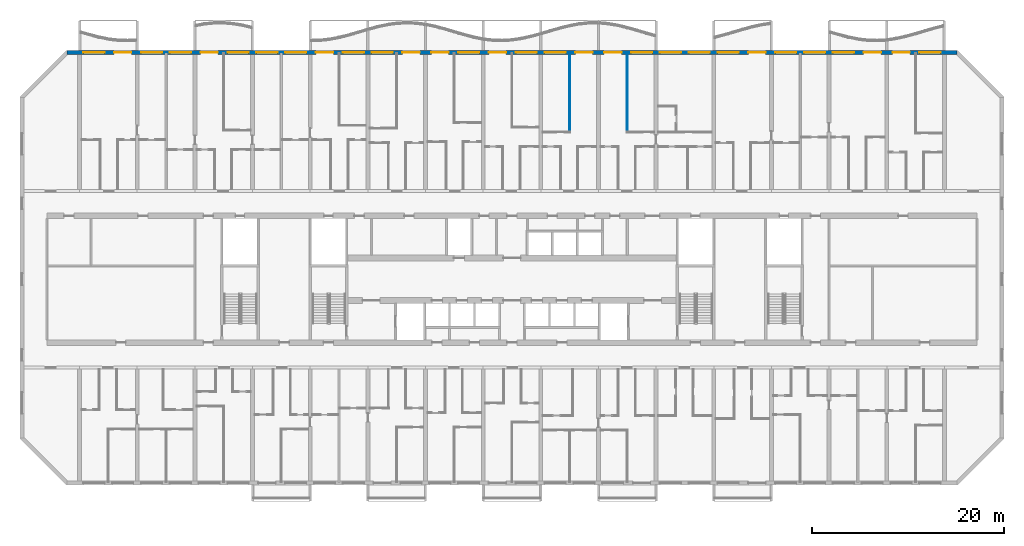
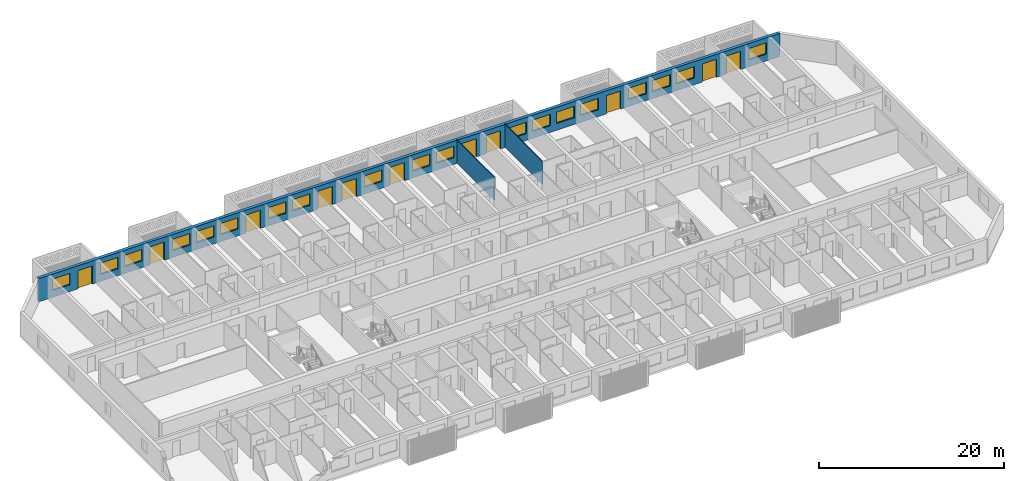
# One storey, part 15 of 44: 19 windows, 11 doors, 3 walls, 30 openings.
"""IFC4 building model written with IfcOpenShell, lengths in metres."""

from ifc_helpers import new_model, si_unit, direction, frame, frame_2d, origin, place, context, subcontext, project, spatial, rectangle, extrude, material, layer, layer_set, type_object, element, fill, save


model = new_model("IFC4")

# Units and contexts
model_context = context("Model", 3, precision=1e-05, world=origin(), true_north=direction((0.0, 1.0)))
body_context = subcontext(model_context, "Body", "Model", "MODEL_VIEW")
ifc_project = project(units=[si_unit("LENGTHUNIT", "METRE"), si_unit("AREAUNIT", "SQUARE_METRE"), si_unit("VOLUMEUNIT", "CUBIC_METRE"), si_unit("PLANEANGLEUNIT", "RADIAN"), si_unit("MASSUNIT", "GRAM", prefix="KILO")], contexts=[model_context])

# Site, building, storey
site_placement = place(None, origin())
site = spatial("IfcSite", under=ifc_project, at=site_placement, CompositionType="ELEMENT")
building_placement = place(site_placement, origin())
building = spatial("IfcBuilding", under=site, at=building_placement, Name="Poui Terraces", CompositionType="ELEMENT")
storey_placement = place(building_placement, frame((0.0, 0.0, 26.699951171875)))
storey = spatial("IfcBuildingStorey", under=building, at=storey_placement, Name="L06", CompositionType="ELEMENT", Elevation=26.699951171875)

# Wall, openings, doors, windows
ifc_material_1 = material(Name="Precast concrete 40 MPa", Category="concrete")
ifc_layer_1 = layer(ifc_material_1, 0.39990234375)
ifc_layer_set_1 = layer_set([ifc_layer_1], Name="Precast concrete 40 MPa")
wall_type_1 = type_object("IfcWallType", Name="EXTERNAL WALL 400", PredefinedType="STANDARD", material=ifc_layer_set_1)
wall_placement = place(storey_placement, frame((97.317138671875, 44.800048828125, 0.0), z_axis=(0.0, 0.0, 1.0), x_axis=(-1.0, 0.0, 0.0)))
wall = element("IfcWall", 1, at=wall_placement, inside=storey, type_object=wall_type_1, Name="EXTERNAL WALL N", PredefinedType="STANDARD", context=body_context, shape_type="SweptSolid", body=[
    extrude(rectangle(XDim=92.63427734375, YDim=0.39990234375, at=frame_2d((46.317138671875, 0.0))), origin(), (0.0, 0.0, 1.0), 3.050048828125),
])
opening_1_placement = place(wall_placement, frame((88.71728515625, 0.0, 0.89990234375)))
opening_1 = element("IfcOpeningElement", 2, at=opening_1_placement, cuts=wall, Name="Opening W1", PredefinedType="OPENING", context=body_context, shape_type="SweptSolid", body=[
    extrude(rectangle(XDim=2.199951171875, YDim=1.5, at=frame_2d((1.10009765625, 0.75))), frame((0.0, 0.2099609375, 0.0), z_axis=(0.0, -1.0, 0.0), x_axis=(1.0, 0.0, 0.0)), (0.0, 0.0, 1.0), 0.419921875),
])
opening_2_placement = place(wall_placement, frame((85.917236328125, 0.0, 0.0)))
opening_2 = element("IfcOpeningElement", 3, at=opening_2_placement, cuts=wall, Name="Opening BD1", PredefinedType="OPENING", context=body_context, shape_type="SweptSolid", body=[
    extrude(rectangle(XDim=1.800048828125, YDim=2.39990234375, at=frame_2d((0.89990234375, 1.199951171875))), frame((0.0, 0.2099609375, 0.0), z_axis=(0.0, -1.0, 0.0), x_axis=(1.0, 0.0, 0.0)), (0.0, 0.0, 1.0), 0.419921875),
])
opening_3_placement = place(wall_placement, frame((82.71728515625, 0.0, 0.89990234375)))
opening_3 = element("IfcOpeningElement", 4, at=opening_3_placement, cuts=wall, Name="Opening W1", PredefinedType="OPENING", context=body_context, shape_type="SweptSolid", body=[
    extrude(rectangle(XDim=2.199951171875, YDim=1.5, at=frame_2d((1.10009765625, 0.75))), frame((0.0, 0.2099609375, 0.0), z_axis=(0.0, -1.0, 0.0), x_axis=(1.0, 0.0, 0.0)), (0.0, 0.0, 1.0), 0.419921875),
])
opening_4_placement = place(wall_placement, frame((79.71728515625, 0.0, 0.89990234375)))
opening_4 = element("IfcOpeningElement", 5, at=opening_4_placement, cuts=wall, Name="Opening W1", PredefinedType="OPENING", context=body_context, shape_type="SweptSolid", body=[
    extrude(rectangle(XDim=2.199951171875, YDim=1.5, at=frame_2d((1.10009765625, 0.75))), frame((0.0, 0.2099609375, 0.0), z_axis=(0.0, -1.0, 0.0), x_axis=(1.0, 0.0, 0.0)), (0.0, 0.0, 1.0), 0.419921875),
])
opening_5_placement = place(wall_placement, frame((76.917236328125, 0.0, 0.0)))
opening_5 = element("IfcOpeningElement", 6, at=opening_5_placement, cuts=wall, Name="Opening BD1", PredefinedType="OPENING", context=body_context, shape_type="SweptSolid", body=[
    extrude(rectangle(XDim=1.800048828125, YDim=2.39990234375, at=frame_2d((0.89990234375, 1.199951171875))), frame((0.0, 0.2099609375, 0.0), z_axis=(0.0, -1.0, 0.0), x_axis=(1.0, 0.0, 0.0)), (0.0, 0.0, 1.0), 0.419921875),
])
opening_6_placement = place(wall_placement, frame((73.71728515625, 0.0, 0.89990234375)))
opening_6 = element("IfcOpeningElement", 7, at=opening_6_placement, cuts=wall, Name="Opening W1", PredefinedType="OPENING", context=body_context, shape_type="SweptSolid", body=[
    extrude(rectangle(XDim=2.199951171875, YDim=1.5, at=frame_2d((1.10009765625, 0.75))), frame((0.0, 0.2099609375, 0.0), z_axis=(0.0, -1.0, 0.0), x_axis=(1.0, 0.0, 0.0)), (0.0, 0.0, 1.0), 0.419921875),
])
opening_7_placement = place(wall_placement, frame((70.71728515625, 0.0, 0.89990234375)))
opening_7 = element("IfcOpeningElement", 8, at=opening_7_placement, cuts=wall, Name="Opening W1", PredefinedType="OPENING", context=body_context, shape_type="SweptSolid", body=[
    extrude(rectangle(XDim=2.199951171875, YDim=1.5, at=frame_2d((1.10009765625, 0.75))), frame((0.0, 0.2099609375, 0.0), z_axis=(0.0, -1.0, 0.0), x_axis=(1.0, 0.0, 0.0)), (0.0, 0.0, 1.0), 0.419921875),
])
opening_8_placement = place(wall_placement, frame((67.71728515625, 0.0, 0.89990234375)))
opening_8 = element("IfcOpeningElement", 9, at=opening_8_placement, cuts=wall, Name="Opening W1", PredefinedType="OPENING", context=body_context, shape_type="SweptSolid", body=[
    extrude(rectangle(XDim=2.199951171875, YDim=1.5, at=frame_2d((1.10009765625, 0.75))), frame((0.0, 0.2099609375, 0.0), z_axis=(0.0, -1.0, 0.0), x_axis=(1.0, 0.0, 0.0)), (0.0, 0.0, 1.0), 0.419921875),
])
opening_9_placement = place(wall_placement, frame((64.917236328125, 0.0, 0.0)))
opening_9 = element("IfcOpeningElement", 10, at=opening_9_placement, cuts=wall, Name="Opening BD1", PredefinedType="OPENING", context=body_context, shape_type="SweptSolid", body=[
    extrude(rectangle(XDim=1.800048828125, YDim=2.39990234375, at=frame_2d((0.89990234375, 1.199951171875))), frame((0.0, 0.2099609375, 0.0), z_axis=(0.0, -1.0, 0.0), x_axis=(1.0, 0.0, 0.0)), (0.0, 0.0, 1.0), 0.419921875),
])
opening_10_placement = place(wall_placement, frame((61.71728515625, 0.0, 0.89990234375)))
opening_10 = element("IfcOpeningElement", 11, at=opening_10_placement, cuts=wall, Name="Opening W1", PredefinedType="OPENING", context=body_context, shape_type="SweptSolid", body=[
    extrude(rectangle(XDim=2.199951171875, YDim=1.5, at=frame_2d((1.10009765625, 0.75))), frame((0.0, 0.2099609375, 0.0), z_axis=(0.0, -1.0, 0.0), x_axis=(1.0, 0.0, 0.0)), (0.0, 0.0, 1.0), 0.419921875),
])
opening_11_placement = place(wall_placement, frame((58.71728515625, 0.0, 0.89990234375)))
opening_11 = element("IfcOpeningElement", 12, at=opening_11_placement, cuts=wall, Name="Opening W1", PredefinedType="OPENING", context=body_context, shape_type="SweptSolid", body=[
    extrude(rectangle(XDim=2.199951171875, YDim=1.5, at=frame_2d((1.10009765625, 0.75))), frame((0.0, 0.2099609375, 0.0), z_axis=(0.0, -1.0, 0.0), x_axis=(1.0, 0.0, 0.0)), (0.0, 0.0, 1.0), 0.419921875),
])
opening_12_placement = place(wall_placement, frame((55.917236328125, 0.0, 0.0)))
opening_12 = element("IfcOpeningElement", 13, at=opening_12_placement, cuts=wall, Name="Opening BD1", PredefinedType="OPENING", context=body_context, shape_type="SweptSolid", body=[
    extrude(rectangle(XDim=1.800048828125, YDim=2.39990234375, at=frame_2d((0.89990234375, 1.199951171875))), frame((0.0, 0.2099609375, 0.0), z_axis=(0.0, -1.0, 0.0), x_axis=(1.0, 0.0, 0.0)), (0.0, 0.0, 1.0), 0.419921875),
])
opening_13_placement = place(wall_placement, frame((52.917236328125, 0.0, 0.0)))
opening_13 = element("IfcOpeningElement", 14, at=opening_13_placement, cuts=wall, Name="Opening BD1", PredefinedType="OPENING", context=body_context, shape_type="SweptSolid", body=[
    extrude(rectangle(XDim=1.800048828125, YDim=2.39990234375, at=frame_2d((0.89990234375, 1.199951171875))), frame((0.0, 0.2099609375, 0.0), z_axis=(0.0, -1.0, 0.0), x_axis=(1.0, 0.0, 0.0)), (0.0, 0.0, 1.0), 0.419921875),
])
opening_14_placement = place(wall_placement, frame((49.71728515625, 0.0, 0.89990234375)))
opening_14 = element("IfcOpeningElement", 15, at=opening_14_placement, cuts=wall, Name="Opening W1", PredefinedType="OPENING", context=body_context, shape_type="SweptSolid", body=[
    extrude(rectangle(XDim=2.199951171875, YDim=1.5, at=frame_2d((1.10009765625, 0.75))), frame((0.0, 0.2099609375, 0.0), z_axis=(0.0, -1.0, 0.0), x_axis=(1.0, 0.0, 0.0)), (0.0, 0.0, 1.0), 0.419921875),
])
opening_15_placement = place(wall_placement, frame((46.917236328125, 0.0, 0.0)))
opening_15 = element("IfcOpeningElement", 16, at=opening_15_placement, cuts=wall, Name="Opening BD1", PredefinedType="OPENING", context=body_context, shape_type="SweptSolid", body=[
    extrude(rectangle(XDim=1.800048828125, YDim=2.39990234375, at=frame_2d((0.89990234375, 1.199951171875))), frame((0.0, 0.2099609375, 0.0), z_axis=(0.0, -1.0, 0.0), x_axis=(1.0, 0.0, 0.0)), (0.0, 0.0, 1.0), 0.419921875),
])
opening_16_placement = place(wall_placement, frame((43.71728515625, 0.0, 0.89990234375)))
opening_16 = element("IfcOpeningElement", 17, at=opening_16_placement, cuts=wall, Name="Opening W1", PredefinedType="OPENING", context=body_context, shape_type="SweptSolid", body=[
    extrude(rectangle(XDim=2.199951171875, YDim=1.5, at=frame_2d((1.10009765625, 0.75))), frame((0.0, 0.2099609375, 0.0), z_axis=(0.0, -1.0, 0.0), x_axis=(1.0, 0.0, 0.0)), (0.0, 0.0, 1.0), 0.419921875),
])
opening_17_placement = place(wall_placement, frame((40.71728515625, 0.0, 0.89990234375)))
opening_17 = element("IfcOpeningElement", 18, at=opening_17_placement, cuts=wall, Name="Opening W1", PredefinedType="OPENING", context=body_context, shape_type="SweptSolid", body=[
    extrude(rectangle(XDim=2.199951171875, YDim=1.5, at=frame_2d((1.10009765625, 0.75))), frame((0.0, 0.2099609375, 0.0), z_axis=(0.0, -1.0, 0.0), x_axis=(1.0, 0.0, 0.0)), (0.0, 0.0, 1.0), 0.419921875),
])
opening_18_placement = place(wall_placement, frame((37.917236328125, 0.0, 0.0)))
opening_18 = element("IfcOpeningElement", 19, at=opening_18_placement, cuts=wall, Name="Opening BD1", PredefinedType="OPENING", context=body_context, shape_type="SweptSolid", body=[
    extrude(rectangle(XDim=1.800048828125, YDim=2.39990234375, at=frame_2d((0.89990234375, 1.199951171875))), frame((0.0, 0.2099609375, 0.0), z_axis=(0.0, -1.0, 0.0), x_axis=(1.0, 0.0, 0.0)), (0.0, 0.0, 1.0), 0.419921875),
])
opening_19_placement = place(wall_placement, frame((34.917236328125, 0.0, 0.0)))
opening_19 = element("IfcOpeningElement", 20, at=opening_19_placement, cuts=wall, Name="Opening BD1", PredefinedType="OPENING", context=body_context, shape_type="SweptSolid", body=[
    extrude(rectangle(XDim=1.800048828125, YDim=2.39990234375, at=frame_2d((0.89990234375, 1.199951171875))), frame((0.0, 0.2099609375, 0.0), z_axis=(0.0, -1.0, 0.0), x_axis=(1.0, 0.0, 0.0)), (0.0, 0.0, 1.0), 0.419921875),
])
opening_20_placement = place(wall_placement, frame((31.71728515625, 0.0, 0.89990234375)))
opening_20 = element("IfcOpeningElement", 21, at=opening_20_placement, cuts=wall, Name="Opening W1", PredefinedType="OPENING", context=body_context, shape_type="SweptSolid", body=[
    extrude(rectangle(XDim=2.199951171875, YDim=1.5, at=frame_2d((1.10009765625, 0.75))), frame((0.0, 0.2099609375, 0.0), z_axis=(0.0, -1.0, 0.0), x_axis=(1.0, 0.0, 0.0)), (0.0, 0.0, 1.0), 0.419921875),
])
opening_21_placement = place(wall_placement, frame((28.71728515625, 0.0, 0.89990234375)))
opening_21 = element("IfcOpeningElement", 22, at=opening_21_placement, cuts=wall, Name="Opening W1", PredefinedType="OPENING", context=body_context, shape_type="SweptSolid", body=[
    extrude(rectangle(XDim=2.199951171875, YDim=1.5, at=frame_2d((1.10009765625, 0.75))), frame((0.0, 0.2099609375, 0.0), z_axis=(0.0, -1.0, 0.0), x_axis=(1.0, 0.0, 0.0)), (0.0, 0.0, 1.0), 0.419921875),
])
opening_22_placement = place(wall_placement, frame((25.71728515625, 0.0, 0.89990234375)))
opening_22 = element("IfcOpeningElement", 23, at=opening_22_placement, cuts=wall, Name="Opening W1", PredefinedType="OPENING", context=body_context, shape_type="SweptSolid", body=[
    extrude(rectangle(XDim=2.199951171875, YDim=1.5, at=frame_2d((1.10009765625, 0.75))), frame((0.0, 0.2099609375, 0.0), z_axis=(0.0, -1.0, 0.0), x_axis=(1.0, 0.0, 0.0)), (0.0, 0.0, 1.0), 0.419921875),
])
opening_23_placement = place(wall_placement, frame((22.71728515625, 0.0, 0.89990234375)))
opening_23 = element("IfcOpeningElement", 24, at=opening_23_placement, cuts=wall, Name="Opening W1", PredefinedType="OPENING", context=body_context, shape_type="SweptSolid", body=[
    extrude(rectangle(XDim=2.199951171875, YDim=1.5, at=frame_2d((1.10009765625, 0.75))), frame((0.0, 0.2099609375, 0.0), z_axis=(0.0, -1.0, 0.0), x_axis=(1.0, 0.0, 0.0)), (0.0, 0.0, 1.0), 0.419921875),
])
opening_24_placement = place(wall_placement, frame((19.917236328125, 0.0, 0.0)))
opening_24 = element("IfcOpeningElement", 25, at=opening_24_placement, cuts=wall, Name="Opening BD1", PredefinedType="OPENING", context=body_context, shape_type="SweptSolid", body=[
    extrude(rectangle(XDim=1.800048828125, YDim=2.39990234375, at=frame_2d((0.89990234375, 1.199951171875))), frame((0.0, 0.2099609375, 0.0), z_axis=(0.0, -1.0, 0.0), x_axis=(1.0, 0.0, 0.0)), (0.0, 0.0, 1.0), 0.419921875),
])
opening_25_placement = place(wall_placement, frame((16.71728515625, 0.0, 0.89990234375)))
opening_25 = element("IfcOpeningElement", 26, at=opening_25_placement, cuts=wall, Name="Opening W1", PredefinedType="OPENING", context=body_context, shape_type="SweptSolid", body=[
    extrude(rectangle(XDim=2.199951171875, YDim=1.5, at=frame_2d((1.10009765625, 0.75))), frame((0.0, 0.2099609375, 0.0), z_axis=(0.0, -1.0, 0.0), x_axis=(1.0, 0.0, 0.0)), (0.0, 0.0, 1.0), 0.419921875),
])
opening_26_placement = place(wall_placement, frame((13.71728515625, 0.0, 0.89990234375)))
opening_26 = element("IfcOpeningElement", 27, at=opening_26_placement, cuts=wall, Name="Opening W1", PredefinedType="OPENING", context=body_context, shape_type="SweptSolid", body=[
    extrude(rectangle(XDim=2.199951171875, YDim=1.5, at=frame_2d((1.10009765625, 0.75))), frame((0.0, 0.2099609375, 0.0), z_axis=(0.0, -1.0, 0.0), x_axis=(1.0, 0.0, 0.0)), (0.0, 0.0, 1.0), 0.419921875),
])
opening_27_placement = place(wall_placement, frame((10.71728515625, 0.0, 0.89990234375)))
opening_27 = element("IfcOpeningElement", 28, at=opening_27_placement, cuts=wall, Name="Opening W1", PredefinedType="OPENING", context=body_context, shape_type="SweptSolid", body=[
    extrude(rectangle(XDim=2.199951171875, YDim=1.5, at=frame_2d((1.10009765625, 0.75))), frame((0.0, 0.2099609375, 0.0), z_axis=(0.0, -1.0, 0.0), x_axis=(1.0, 0.0, 0.0)), (0.0, 0.0, 1.0), 0.419921875),
])
opening_28_placement = place(wall_placement, frame((7.917236328125, 0.0, 0.0)))
opening_28 = element("IfcOpeningElement", 29, at=opening_28_placement, cuts=wall, Name="Opening BD1", PredefinedType="OPENING", context=body_context, shape_type="SweptSolid", body=[
    extrude(rectangle(XDim=1.800048828125, YDim=2.39990234375, at=frame_2d((0.89990234375, 1.199951171875))), frame((0.0, 0.2099609375, 0.0), z_axis=(0.0, -1.0, 0.0), x_axis=(1.0, 0.0, 0.0)), (0.0, 0.0, 1.0), 0.419921875),
])
opening_29_placement = place(wall_placement, frame((4.917236328125, 0.0, 0.0)))
opening_29 = element("IfcOpeningElement", 30, at=opening_29_placement, cuts=wall, Name="Opening BD1", PredefinedType="OPENING", context=body_context, shape_type="SweptSolid", body=[
    extrude(rectangle(XDim=1.800048828125, YDim=2.39990234375, at=frame_2d((0.89990234375, 1.199951171875))), frame((0.0, 0.2099609375, 0.0), z_axis=(0.0, -1.0, 0.0), x_axis=(1.0, 0.0, 0.0)), (0.0, 0.0, 1.0), 0.419921875),
])
opening_30_placement = place(wall_placement, frame((1.71728515625, 0.0, 0.89990234375)))
opening_30 = element("IfcOpeningElement", 31, at=opening_30_placement, cuts=wall, Name="Opening W1", PredefinedType="OPENING", context=body_context, shape_type="SweptSolid", body=[
    extrude(rectangle(XDim=2.199951171875, YDim=1.5, at=frame_2d((1.10009765625, 0.75))), frame((0.0, 0.2099609375, 0.0), z_axis=(0.0, -1.0, 0.0), x_axis=(1.0, 0.0, 0.0)), (0.0, 0.0, 1.0), 0.419921875),
])
ifc_material_2 = material(Name="Clear glass in aluminium frame", Category="aluminium")
door_type = type_object("IfcDoorType", Name="BALCONY DOOR 1800X2400", OperationType="DOUBLE_DOOR_SLIDING", PredefinedType="DOOR", material=ifc_material_2)
door_1_placement = place(opening_2_placement, origin())
door_1 = element("IfcDoor", 32, at=door_1_placement, inside=storey, type_object=door_type, Name="BD1 BALCONY DOOR", OperationType="DOUBLE_DOOR_SLIDING", OverallHeight=2.39990234375, OverallWidth=1.800048828125, PredefinedType="DOOR", context=body_context, shape_type="SweptSolid", body=[
    extrude(rectangle(XDim=1.800048828125, YDim=2.39990234375, at=frame_2d((0.89990234375, 1.199951171875))), frame((0.0, 0.02490234375, 0.0), z_axis=(0.0, -1.0, 0.0), x_axis=(1.0, 0.0, 0.0)), (0.0, 0.0, 1.0), 0.050048828125),
])
fill(opening_2, door_1)
door_2_placement = place(opening_5_placement, origin())
door_2 = element("IfcDoor", 33, at=door_2_placement, inside=storey, type_object=door_type, Name="BD1 BALCONY DOOR", OperationType="DOUBLE_DOOR_SLIDING", OverallHeight=2.39990234375, OverallWidth=1.800048828125, PredefinedType="DOOR", context=body_context, shape_type="SweptSolid", body=[
    extrude(rectangle(XDim=1.800048828125, YDim=2.39990234375, at=frame_2d((0.89990234375, 1.199951171875))), frame((0.0, 0.02490234375, 0.0), z_axis=(0.0, -1.0, 0.0), x_axis=(1.0, 0.0, 0.0)), (0.0, 0.0, 1.0), 0.050048828125),
])
fill(opening_5, door_2)
door_3_placement = place(opening_9_placement, origin())
door_3 = element("IfcDoor", 34, at=door_3_placement, inside=storey, type_object=door_type, Name="BD1 BALCONY DOOR", OperationType="DOUBLE_DOOR_SLIDING", OverallHeight=2.39990234375, OverallWidth=1.800048828125, PredefinedType="DOOR", context=body_context, shape_type="SweptSolid", body=[
    extrude(rectangle(XDim=1.800048828125, YDim=2.39990234375, at=frame_2d((0.89990234375, 1.199951171875))), frame((0.0, 0.02490234375, 0.0), z_axis=(0.0, -1.0, 0.0), x_axis=(1.0, 0.0, 0.0)), (0.0, 0.0, 1.0), 0.050048828125),
])
fill(opening_9, door_3)
door_4_placement = place(opening_12_placement, origin())
door_4 = element("IfcDoor", 35, at=door_4_placement, inside=storey, type_object=door_type, Name="BD1 BALCONY DOOR", OperationType="DOUBLE_DOOR_SLIDING", OverallHeight=2.39990234375, OverallWidth=1.800048828125, PredefinedType="DOOR", context=body_context, shape_type="SweptSolid", body=[
    extrude(rectangle(XDim=1.800048828125, YDim=2.39990234375, at=frame_2d((0.89990234375, 1.199951171875))), frame((0.0, 0.02490234375, 0.0), z_axis=(0.0, -1.0, 0.0), x_axis=(1.0, 0.0, 0.0)), (0.0, 0.0, 1.0), 0.050048828125),
])
fill(opening_12, door_4)
door_5_placement = place(opening_13_placement, origin())
door_5 = element("IfcDoor", 36, at=door_5_placement, inside=storey, type_object=door_type, Name="BD1 BALCONY DOOR", OperationType="DOUBLE_DOOR_SLIDING", OverallHeight=2.39990234375, OverallWidth=1.800048828125, PredefinedType="DOOR", context=body_context, shape_type="SweptSolid", body=[
    extrude(rectangle(XDim=1.800048828125, YDim=2.39990234375, at=frame_2d((0.89990234375, 1.199951171875))), frame((0.0, 0.02490234375, 0.0), z_axis=(0.0, -1.0, 0.0), x_axis=(1.0, 0.0, 0.0)), (0.0, 0.0, 1.0), 0.050048828125),
])
fill(opening_13, door_5)
door_6_placement = place(opening_15_placement, origin())
door_6 = element("IfcDoor", 37, at=door_6_placement, inside=storey, type_object=door_type, Name="BD1 BALCONY DOOR", OperationType="DOUBLE_DOOR_SLIDING", OverallHeight=2.39990234375, OverallWidth=1.800048828125, PredefinedType="DOOR", context=body_context, shape_type="SweptSolid", body=[
    extrude(rectangle(XDim=1.800048828125, YDim=2.39990234375, at=frame_2d((0.89990234375, 1.199951171875))), frame((0.0, 0.02490234375, 0.0), z_axis=(0.0, -1.0, 0.0), x_axis=(1.0, 0.0, 0.0)), (0.0, 0.0, 1.0), 0.050048828125),
])
fill(opening_15, door_6)
door_7_placement = place(opening_18_placement, origin())
door_7 = element("IfcDoor", 38, at=door_7_placement, inside=storey, type_object=door_type, Name="BD1 BALCONY DOOR", OperationType="DOUBLE_DOOR_SLIDING", OverallHeight=2.39990234375, OverallWidth=1.800048828125, PredefinedType="DOOR", context=body_context, shape_type="SweptSolid", body=[
    extrude(rectangle(XDim=1.800048828125, YDim=2.39990234375, at=frame_2d((0.89990234375, 1.199951171875))), frame((0.0, 0.02490234375, 0.0), z_axis=(0.0, -1.0, 0.0), x_axis=(1.0, 0.0, 0.0)), (0.0, 0.0, 1.0), 0.050048828125),
])
fill(opening_18, door_7)
door_8_placement = place(opening_19_placement, origin())
door_8 = element("IfcDoor", 39, at=door_8_placement, inside=storey, type_object=door_type, Name="BD1 BALCONY DOOR", OperationType="DOUBLE_DOOR_SLIDING", OverallHeight=2.39990234375, OverallWidth=1.800048828125, PredefinedType="DOOR", context=body_context, shape_type="SweptSolid", body=[
    extrude(rectangle(XDim=1.800048828125, YDim=2.39990234375, at=frame_2d((0.89990234375, 1.199951171875))), frame((0.0, 0.02490234375, 0.0), z_axis=(0.0, -1.0, 0.0), x_axis=(1.0, 0.0, 0.0)), (0.0, 0.0, 1.0), 0.050048828125),
])
fill(opening_19, door_8)
door_9_placement = place(opening_24_placement, origin())
door_9 = element("IfcDoor", 40, at=door_9_placement, inside=storey, type_object=door_type, Name="BD1 BALCONY DOOR", OperationType="DOUBLE_DOOR_SLIDING", OverallHeight=2.39990234375, OverallWidth=1.800048828125, PredefinedType="DOOR", context=body_context, shape_type="SweptSolid", body=[
    extrude(rectangle(XDim=1.800048828125, YDim=2.39990234375, at=frame_2d((0.89990234375, 1.199951171875))), frame((0.0, 0.02490234375, 0.0), z_axis=(0.0, -1.0, 0.0), x_axis=(1.0, 0.0, 0.0)), (0.0, 0.0, 1.0), 0.050048828125),
])
fill(opening_24, door_9)
door_10_placement = place(opening_28_placement, origin())
door_10 = element("IfcDoor", 41, at=door_10_placement, inside=storey, type_object=door_type, Name="BD1 BALCONY DOOR", OperationType="DOUBLE_DOOR_SLIDING", OverallHeight=2.39990234375, OverallWidth=1.800048828125, PredefinedType="DOOR", context=body_context, shape_type="SweptSolid", body=[
    extrude(rectangle(XDim=1.800048828125, YDim=2.39990234375, at=frame_2d((0.89990234375, 1.199951171875))), frame((0.0, 0.02490234375, 0.0), z_axis=(0.0, -1.0, 0.0), x_axis=(1.0, 0.0, 0.0)), (0.0, 0.0, 1.0), 0.050048828125),
])
fill(opening_28, door_10)
door_11_placement = place(opening_29_placement, origin())
door_11 = element("IfcDoor", 42, at=door_11_placement, inside=storey, type_object=door_type, Name="BD1 BALCONY DOOR", OperationType="DOUBLE_DOOR_SLIDING", OverallHeight=2.39990234375, OverallWidth=1.800048828125, PredefinedType="DOOR", context=body_context, shape_type="SweptSolid", body=[
    extrude(rectangle(XDim=1.800048828125, YDim=2.39990234375, at=frame_2d((0.89990234375, 1.199951171875))), frame((0.0, 0.02490234375, 0.0), z_axis=(0.0, -1.0, 0.0), x_axis=(1.0, 0.0, 0.0)), (0.0, 0.0, 1.0), 0.050048828125),
])
fill(opening_29, door_11)
window_type = type_object("IfcWindowType", Name="WINDOW 2200X1500", PartitioningType="DOUBLE_PANEL_HORIZONTAL", PredefinedType="WINDOW", material=ifc_material_2)
window_1_placement = place(opening_1_placement, origin())
window_1 = element("IfcWindow", 43, at=window_1_placement, inside=storey, type_object=window_type, Name="W1 WINDOW", OverallHeight=1.5, OverallWidth=2.199951171875, PartitioningType="DOUBLE_PANEL_HORIZONTAL", PredefinedType="WINDOW", context=body_context, shape_type="SweptSolid", body=[
    extrude(rectangle(XDim=2.199951171875, YDim=1.5, at=frame_2d((1.10009765625, 0.75))), frame((0.0, 0.030029296875, 0.0), z_axis=(0.0, -1.0, 0.0), x_axis=(1.0, 0.0, 0.0)), (0.0, 0.0, 1.0), 0.06005859375),
])
fill(opening_1, window_1)
window_2_placement = place(opening_3_placement, origin())
window_2 = element("IfcWindow", 44, at=window_2_placement, inside=storey, type_object=window_type, Name="W1 WINDOW", OverallHeight=1.5, OverallWidth=2.199951171875, PartitioningType="DOUBLE_PANEL_HORIZONTAL", PredefinedType="WINDOW", context=body_context, shape_type="SweptSolid", body=[
    extrude(rectangle(XDim=2.199951171875, YDim=1.5, at=frame_2d((1.10009765625, 0.75))), frame((0.0, 0.030029296875, 0.0), z_axis=(0.0, -1.0, 0.0), x_axis=(1.0, 0.0, 0.0)), (0.0, 0.0, 1.0), 0.06005859375),
])
fill(opening_3, window_2)
window_3_placement = place(opening_4_placement, origin())
window_3 = element("IfcWindow", 45, at=window_3_placement, inside=storey, type_object=window_type, Name="W1 WINDOW", OverallHeight=1.5, OverallWidth=2.199951171875, PartitioningType="DOUBLE_PANEL_HORIZONTAL", PredefinedType="WINDOW", context=body_context, shape_type="SweptSolid", body=[
    extrude(rectangle(XDim=2.199951171875, YDim=1.5, at=frame_2d((1.10009765625, 0.75))), frame((0.0, 0.030029296875, 0.0), z_axis=(0.0, -1.0, 0.0), x_axis=(1.0, 0.0, 0.0)), (0.0, 0.0, 1.0), 0.06005859375),
])
fill(opening_4, window_3)
window_4_placement = place(opening_6_placement, origin())
window_4 = element("IfcWindow", 46, at=window_4_placement, inside=storey, type_object=window_type, Name="W1 WINDOW", OverallHeight=1.5, OverallWidth=2.199951171875, PartitioningType="DOUBLE_PANEL_HORIZONTAL", PredefinedType="WINDOW", context=body_context, shape_type="SweptSolid", body=[
    extrude(rectangle(XDim=2.199951171875, YDim=1.5, at=frame_2d((1.10009765625, 0.75))), frame((0.0, 0.030029296875, 0.0), z_axis=(0.0, -1.0, 0.0), x_axis=(1.0, 0.0, 0.0)), (0.0, 0.0, 1.0), 0.06005859375),
])
fill(opening_6, window_4)
window_5_placement = place(opening_7_placement, origin())
window_5 = element("IfcWindow", 47, at=window_5_placement, inside=storey, type_object=window_type, Name="W1 WINDOW", OverallHeight=1.5, OverallWidth=2.199951171875, PartitioningType="DOUBLE_PANEL_HORIZONTAL", PredefinedType="WINDOW", context=body_context, shape_type="SweptSolid", body=[
    extrude(rectangle(XDim=2.199951171875, YDim=1.5, at=frame_2d((1.10009765625, 0.75))), frame((0.0, 0.030029296875, 0.0), z_axis=(0.0, -1.0, 0.0), x_axis=(1.0, 0.0, 0.0)), (0.0, 0.0, 1.0), 0.06005859375),
])
fill(opening_7, window_5)
window_6_placement = place(opening_8_placement, origin())
window_6 = element("IfcWindow", 48, at=window_6_placement, inside=storey, type_object=window_type, Name="W1 WINDOW", OverallHeight=1.5, OverallWidth=2.199951171875, PartitioningType="DOUBLE_PANEL_HORIZONTAL", PredefinedType="WINDOW", context=body_context, shape_type="SweptSolid", body=[
    extrude(rectangle(XDim=2.199951171875, YDim=1.5, at=frame_2d((1.10009765625, 0.75))), frame((0.0, 0.030029296875, 0.0), z_axis=(0.0, -1.0, 0.0), x_axis=(1.0, 0.0, 0.0)), (0.0, 0.0, 1.0), 0.06005859375),
])
fill(opening_8, window_6)
window_7_placement = place(opening_10_placement, origin())
window_7 = element("IfcWindow", 49, at=window_7_placement, inside=storey, type_object=window_type, Name="W1 WINDOW", OverallHeight=1.5, OverallWidth=2.199951171875, PartitioningType="DOUBLE_PANEL_HORIZONTAL", PredefinedType="WINDOW", context=body_context, shape_type="SweptSolid", body=[
    extrude(rectangle(XDim=2.199951171875, YDim=1.5, at=frame_2d((1.10009765625, 0.75))), frame((0.0, 0.030029296875, 0.0), z_axis=(0.0, -1.0, 0.0), x_axis=(1.0, 0.0, 0.0)), (0.0, 0.0, 1.0), 0.06005859375),
])
fill(opening_10, window_7)
window_8_placement = place(opening_11_placement, origin())
window_8 = element("IfcWindow", 50, at=window_8_placement, inside=storey, type_object=window_type, Name="W1 WINDOW", OverallHeight=1.5, OverallWidth=2.199951171875, PartitioningType="DOUBLE_PANEL_HORIZONTAL", PredefinedType="WINDOW", context=body_context, shape_type="SweptSolid", body=[
    extrude(rectangle(XDim=2.199951171875, YDim=1.5, at=frame_2d((1.10009765625, 0.75))), frame((0.0, 0.030029296875, 0.0), z_axis=(0.0, -1.0, 0.0), x_axis=(1.0, 0.0, 0.0)), (0.0, 0.0, 1.0), 0.06005859375),
])
fill(opening_11, window_8)
window_9_placement = place(opening_14_placement, origin())
window_9 = element("IfcWindow", 51, at=window_9_placement, inside=storey, type_object=window_type, Name="W1 WINDOW", OverallHeight=1.5, OverallWidth=2.199951171875, PartitioningType="DOUBLE_PANEL_HORIZONTAL", PredefinedType="WINDOW", context=body_context, shape_type="SweptSolid", body=[
    extrude(rectangle(XDim=2.199951171875, YDim=1.5, at=frame_2d((1.10009765625, 0.75))), frame((0.0, 0.030029296875, 0.0), z_axis=(0.0, -1.0, 0.0), x_axis=(1.0, 0.0, 0.0)), (0.0, 0.0, 1.0), 0.06005859375),
])
fill(opening_14, window_9)
window_10_placement = place(opening_16_placement, origin())
window_10 = element("IfcWindow", 52, at=window_10_placement, inside=storey, type_object=window_type, Name="W1 WINDOW", OverallHeight=1.5, OverallWidth=2.199951171875, PartitioningType="DOUBLE_PANEL_HORIZONTAL", PredefinedType="WINDOW", context=body_context, shape_type="SweptSolid", body=[
    extrude(rectangle(XDim=2.199951171875, YDim=1.5, at=frame_2d((1.10009765625, 0.75))), frame((0.0, 0.030029296875, 0.0), z_axis=(0.0, -1.0, 0.0), x_axis=(1.0, 0.0, 0.0)), (0.0, 0.0, 1.0), 0.06005859375),
])
fill(opening_16, window_10)
window_11_placement = place(opening_17_placement, origin())
window_11 = element("IfcWindow", 53, at=window_11_placement, inside=storey, type_object=window_type, Name="W1 WINDOW", OverallHeight=1.5, OverallWidth=2.199951171875, PartitioningType="DOUBLE_PANEL_HORIZONTAL", PredefinedType="WINDOW", context=body_context, shape_type="SweptSolid", body=[
    extrude(rectangle(XDim=2.199951171875, YDim=1.5, at=frame_2d((1.10009765625, 0.75))), frame((0.0, 0.030029296875, 0.0), z_axis=(0.0, -1.0, 0.0), x_axis=(1.0, 0.0, 0.0)), (0.0, 0.0, 1.0), 0.06005859375),
])
fill(opening_17, window_11)
window_12_placement = place(opening_20_placement, origin())
window_12 = element("IfcWindow", 54, at=window_12_placement, inside=storey, type_object=window_type, Name="W1 WINDOW", OverallHeight=1.5, OverallWidth=2.199951171875, PartitioningType="DOUBLE_PANEL_HORIZONTAL", PredefinedType="WINDOW", context=body_context, shape_type="SweptSolid", body=[
    extrude(rectangle(XDim=2.199951171875, YDim=1.5, at=frame_2d((1.10009765625, 0.75))), frame((0.0, 0.030029296875, 0.0), z_axis=(0.0, -1.0, 0.0), x_axis=(1.0, 0.0, 0.0)), (0.0, 0.0, 1.0), 0.06005859375),
])
fill(opening_20, window_12)
window_13_placement = place(opening_21_placement, origin())
window_13 = element("IfcWindow", 55, at=window_13_placement, inside=storey, type_object=window_type, Name="W1 WINDOW", OverallHeight=1.5, OverallWidth=2.199951171875, PartitioningType="DOUBLE_PANEL_HORIZONTAL", PredefinedType="WINDOW", context=body_context, shape_type="SweptSolid", body=[
    extrude(rectangle(XDim=2.199951171875, YDim=1.5, at=frame_2d((1.10009765625, 0.75))), frame((0.0, 0.030029296875, 0.0), z_axis=(0.0, -1.0, 0.0), x_axis=(1.0, 0.0, 0.0)), (0.0, 0.0, 1.0), 0.06005859375),
])
fill(opening_21, window_13)
window_14_placement = place(opening_22_placement, origin())
window_14 = element("IfcWindow", 56, at=window_14_placement, inside=storey, type_object=window_type, Name="W1 WINDOW", OverallHeight=1.5, OverallWidth=2.199951171875, PartitioningType="DOUBLE_PANEL_HORIZONTAL", PredefinedType="WINDOW", context=body_context, shape_type="SweptSolid", body=[
    extrude(rectangle(XDim=2.199951171875, YDim=1.5, at=frame_2d((1.10009765625, 0.75))), frame((0.0, 0.030029296875, 0.0), z_axis=(0.0, -1.0, 0.0), x_axis=(1.0, 0.0, 0.0)), (0.0, 0.0, 1.0), 0.06005859375),
])
fill(opening_22, window_14)
window_15_placement = place(opening_23_placement, origin())
window_15 = element("IfcWindow", 57, at=window_15_placement, inside=storey, type_object=window_type, Name="W1 WINDOW", OverallHeight=1.5, OverallWidth=2.199951171875, PartitioningType="DOUBLE_PANEL_HORIZONTAL", PredefinedType="WINDOW", context=body_context, shape_type="SweptSolid", body=[
    extrude(rectangle(XDim=2.199951171875, YDim=1.5, at=frame_2d((1.10009765625, 0.75))), frame((0.0, 0.030029296875, 0.0), z_axis=(0.0, -1.0, 0.0), x_axis=(1.0, 0.0, 0.0)), (0.0, 0.0, 1.0), 0.06005859375),
])
fill(opening_23, window_15)
window_16_placement = place(opening_25_placement, origin())
window_16 = element("IfcWindow", 58, at=window_16_placement, inside=storey, type_object=window_type, Name="W1 WINDOW", OverallHeight=1.5, OverallWidth=2.199951171875, PartitioningType="DOUBLE_PANEL_HORIZONTAL", PredefinedType="WINDOW", context=body_context, shape_type="SweptSolid", body=[
    extrude(rectangle(XDim=2.199951171875, YDim=1.5, at=frame_2d((1.10009765625, 0.75))), frame((0.0, 0.030029296875, 0.0), z_axis=(0.0, -1.0, 0.0), x_axis=(1.0, 0.0, 0.0)), (0.0, 0.0, 1.0), 0.06005859375),
])
fill(opening_25, window_16)
window_17_placement = place(opening_26_placement, origin())
window_17 = element("IfcWindow", 59, at=window_17_placement, inside=storey, type_object=window_type, Name="W1 WINDOW", OverallHeight=1.5, OverallWidth=2.199951171875, PartitioningType="DOUBLE_PANEL_HORIZONTAL", PredefinedType="WINDOW", context=body_context, shape_type="SweptSolid", body=[
    extrude(rectangle(XDim=2.199951171875, YDim=1.5, at=frame_2d((1.10009765625, 0.75))), frame((0.0, 0.030029296875, 0.0), z_axis=(0.0, -1.0, 0.0), x_axis=(1.0, 0.0, 0.0)), (0.0, 0.0, 1.0), 0.06005859375),
])
fill(opening_26, window_17)
window_18_placement = place(opening_27_placement, origin())
window_18 = element("IfcWindow", 60, at=window_18_placement, inside=storey, type_object=window_type, Name="W1 WINDOW", OverallHeight=1.5, OverallWidth=2.199951171875, PartitioningType="DOUBLE_PANEL_HORIZONTAL", PredefinedType="WINDOW", context=body_context, shape_type="SweptSolid", body=[
    extrude(rectangle(XDim=2.199951171875, YDim=1.5, at=frame_2d((1.10009765625, 0.75))), frame((0.0, 0.030029296875, 0.0), z_axis=(0.0, -1.0, 0.0), x_axis=(1.0, 0.0, 0.0)), (0.0, 0.0, 1.0), 0.06005859375),
])
fill(opening_27, window_18)
window_19_placement = place(opening_30_placement, origin())
window_19 = element("IfcWindow", 61, at=window_19_placement, inside=storey, type_object=window_type, Name="W1 WINDOW", OverallHeight=1.5, OverallWidth=2.199951171875, PartitioningType="DOUBLE_PANEL_HORIZONTAL", PredefinedType="WINDOW", context=body_context, shape_type="SweptSolid", body=[
    extrude(rectangle(XDim=2.199951171875, YDim=1.5, at=frame_2d((1.10009765625, 0.75))), frame((0.0, 0.030029296875, 0.0), z_axis=(0.0, -1.0, 0.0), x_axis=(1.0, 0.0, 0.0)), (0.0, 0.0, 1.0), 0.06005859375),
])
fill(opening_30, window_19)

# Walls
ifc_material_3 = material(Name="Plasterboard partition")
ifc_layer_2 = layer(ifc_material_3, 0.10009765625)
ifc_layer_set_2 = layer_set([ifc_layer_2], Name="Plasterboard partition")
wall_type_2 = type_object("IfcWallType", Name="FLAT PARTITION 100", PredefinedType="PARTITIONING", material=ifc_layer_set_2)
for number, where, z_axis, x_axis, name in (
    (62, (57.0, 36.550048828125, 0.0), (0.0, 0.0, 1.0), (0.0, 1.0, 0.0), "FLAT PARTITION 100"),
    (63, (63.0, 36.550048828125, 0.0), (0.0, 0.0, 1.0), (0.0, 1.0, 0.0), "FLAT PARTITION 100"),
):
    element("IfcWall", number, at=place(storey_placement, frame(where, z_axis=z_axis, x_axis=x_axis)), inside=storey, type_object=wall_type_2, Name=name, PredefinedType="PARTITIONING", context=body_context, shape_type="SweptSolid", body=[
        extrude(rectangle(XDim=8.18994140625, YDim=0.10009765625, at=frame_2d((4.094970703125, 0.0))), origin(), (0.0, 0.0, 1.0), 3.050048828125),
    ])

save(model, "model.ifc")
